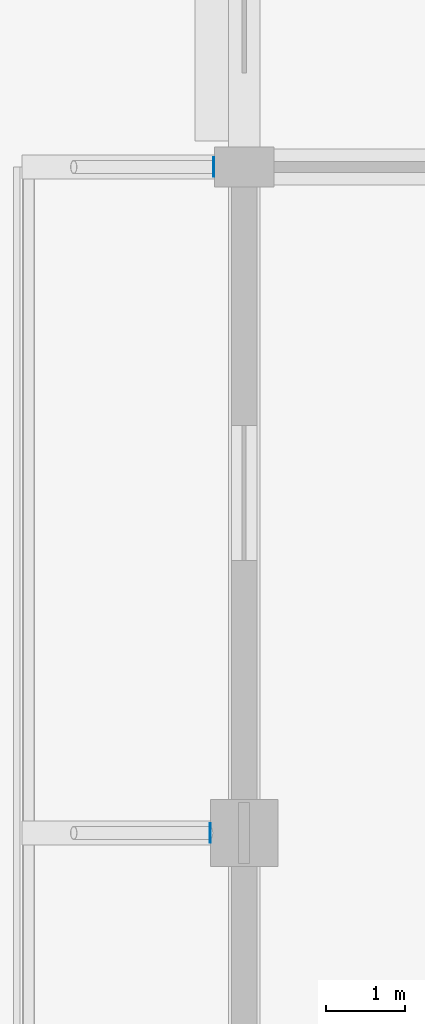
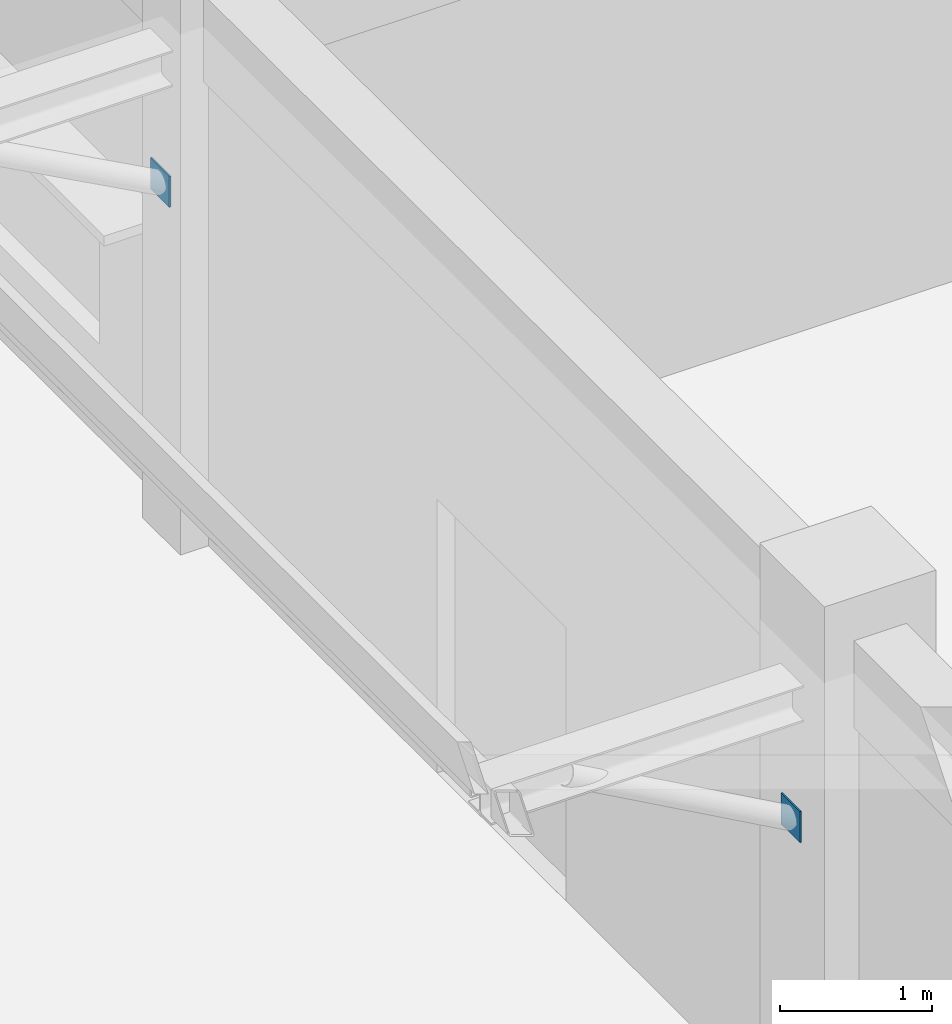
# One storey, part 45 of 74: 2 plates.
"""IFC4 building model written with IfcOpenShell, lengths in metres."""

from ifc_helpers import new_model, si_unit, direction, frame, origin, origin_2d, place, context, subcontext, project, spatial, rectangle, extrude, material, layer, layer_set, type_object, element, save


model = new_model("IFC4")

# Units and contexts
model_context = context("Model", 3, precision=1e-05, world=origin(), true_north=direction((0.0, 1.0)))
body_context = subcontext(model_context, "Body", "Model", "MODEL_VIEW")
ifc_project = project(units=[si_unit("LENGTHUNIT", "METRE"), si_unit("AREAUNIT", "SQUARE_METRE"), si_unit("VOLUMEUNIT", "CUBIC_METRE"), si_unit("PLANEANGLEUNIT", "RADIAN"), si_unit("MASSUNIT", "GRAM", prefix="KILO"), si_unit("THERMODYNAMICTEMPERATUREUNIT", "KELVIN"), si_unit("POWERUNIT", "WATT")], contexts=[model_context])

# Site, building, storey
site_placement = place(None, origin())
site = spatial("IfcSite", under=ifc_project, at=site_placement, CompositionType="ELEMENT")
building_placement = place(site_placement, origin())
building = spatial("IfcBuilding", under=site, at=building_placement, Name="Srebrne Nadtorze General Hospital", CompositionType="ELEMENT")
storey_placement = place(building_placement, origin())
storey = spatial("IfcBuildingStorey", under=building, at=storey_placement, Name="L00", CompositionType="ELEMENT", Elevation=0.0)

# Plates
ifc_material = material(Name="Steel S355J2", Category="steel")
ifc_layer = layer(ifc_material, 0.011962890625)
ifc_layer_set = layer_set([ifc_layer], Name="Steel S355J2")
plate_type = type_object("IfcPlateType", Name="Steel bearing plate 12", PredefinedType="SHEET", material=ifc_layer_set)
for number, where, z_axis, x_axis, name in (
    (1, (-0.430908203125, 67.199951171875, 2.72509765625), (0.0, 0.0, 1.0), (1.0, 0.0, 0.0), "Emergency ambulance canopy strut end plate 4"),
    (2, (-0.381103515625, 75.60009765625, 2.72509765625), (0.0, 0.0, 1.0), (1.0, 0.0, 0.0), "Emergency ambulance canopy strut end plate 5"),
):
    element("IfcPlate", number, at=place(storey_placement, frame(where, z_axis=z_axis, x_axis=x_axis)), inside=storey, type_object=plate_type, Name=name, PredefinedType="SHEET", context=body_context, shape_type="SweptSolid", body=[
        extrude(rectangle(XDim=0.011962890625, YDim=0.25, at=origin_2d()), origin(), (0.0, 0.0, 1.0), 0.25),
    ])

save(model, "model.ifc")
